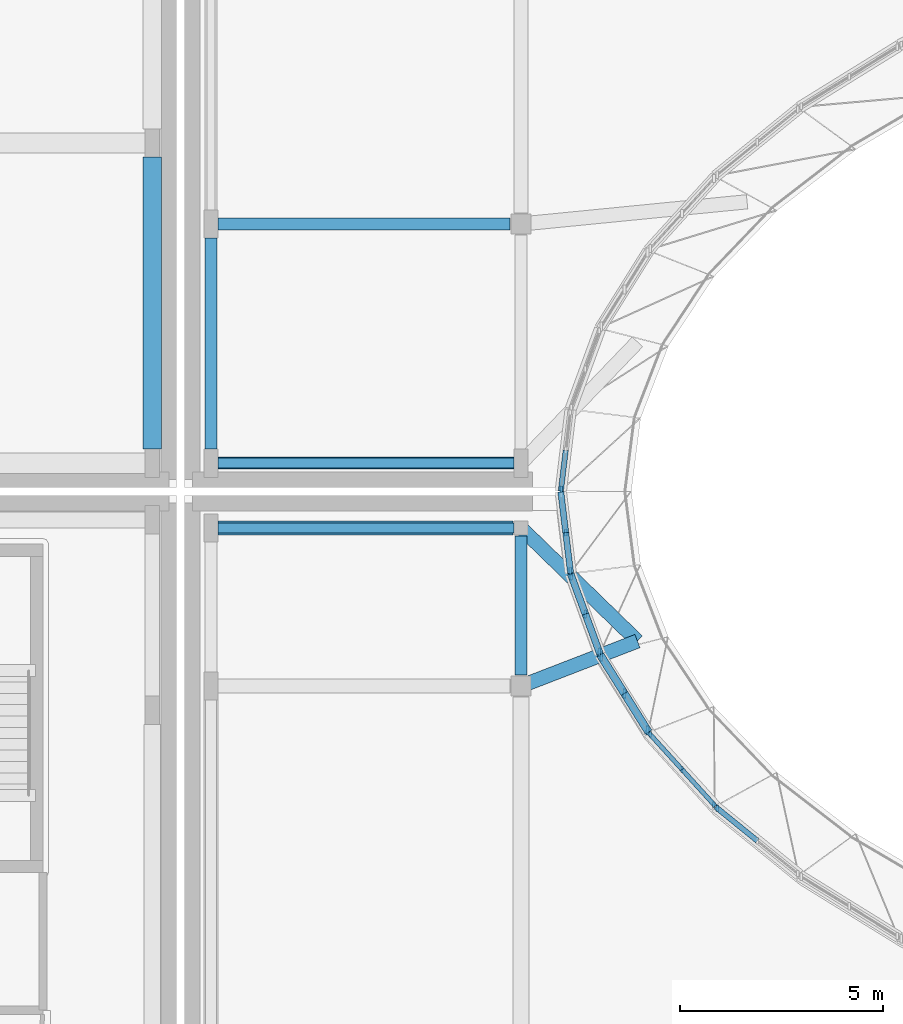
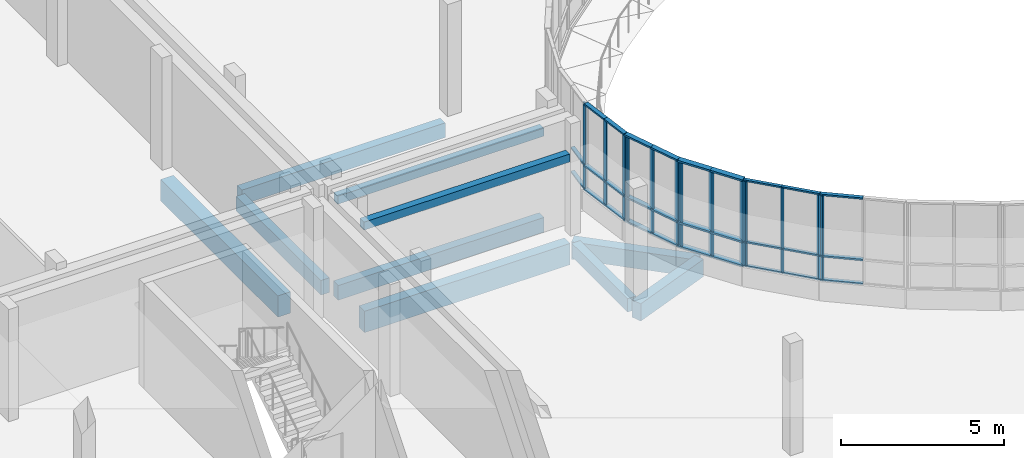
# One storey, part 19 of 84: 42 members, 10 beams, 6 elements without a shape of their own.
"""IFC4 building model written with IfcOpenShell, lengths in metres."""

from ifc_helpers import new_model, si_unit, direction, frame, origin, origin_2d, place, context, subcontext, project, spatial, rectangle, extrude, material, material_profile, profile_set, type_object, element, aggregate, save


model = new_model("IFC4")

# Units and contexts
model_context = context("Model", 3, precision=1e-05, world=origin(), true_north=direction((0.0, 1.0)))
body_context = subcontext(model_context, "Body", "Model", "MODEL_VIEW")
ifc_project = project(units=[si_unit("LENGTHUNIT", "METRE"), si_unit("AREAUNIT", "SQUARE_METRE"), si_unit("VOLUMEUNIT", "CUBIC_METRE"), si_unit("PLANEANGLEUNIT", "RADIAN"), si_unit("MASSUNIT", "GRAM", prefix="KILO")], contexts=[model_context])

# Site, building, storey
site_placement = place(None, origin())
site = spatial("IfcSite", under=ifc_project, at=site_placement, CompositionType="ELEMENT")
building_placement = place(site_placement, origin())
building = spatial("IfcBuilding", under=site, at=building_placement, Name="Mzevani Central Library", CompositionType="ELEMENT")
storey_placement = place(building_placement, frame((0.0, 0.0, 5.39990234375)))
storey = spatial("IfcBuildingStorey", under=building, at=storey_placement, Name="L01", CompositionType="ELEMENT", Elevation=5.39990234375)

# Beams
ifc_material_1 = material(Name="Concrete C35/45", Category="concrete")
ifc_material_profile_1 = material_profile(ifc_material_1, rectangle(XDim=0.300048828125, YDim=0.5, at=origin_2d()), Name="RC B300x500")
ifc_profile_set_1 = profile_set([ifc_material_profile_1], Name="Concrete C35/45")
beam_type_1 = type_object("IfcBeamType", Name="Beam RC 300x500", PredefinedType="BEAM", material=ifc_profile_set_1)
beam_1_placement = place(storey_placement, frame((54.39990234375, 71.47509765625, -0.510009765625), z_axis=(0.0, 1.0, 0.0), x_axis=(-1.0, 0.0, 0.0)))
element("IfcBeam", 1, at=beam_1_placement, inside=storey, type_object=beam_type_1, Name="L01 V1 Frame Beam B-01 (44)", PredefinedType="BEAM", context=body_context, shape_type="SweptSolid", body=[
    extrude(rectangle(XDim=0.300048828125, YDim=0.5, at=origin_2d()), origin(), (0.0, 0.0, 1.0), 3.4248046875),
])
ifc_material_profile_2 = material_profile(ifc_material_1, rectangle(XDim=0.300048828125, YDim=0.550048828125, at=origin_2d()), Name="RC B300x550")
ifc_profile_set_2 = profile_set([ifc_material_profile_2], Name="Concrete C35/45")
beam_type_2 = type_object("IfcBeamType", Name="Beam RC 300x550", PredefinedType="BEAM", material=ifc_profile_set_2)
beam_2_placement = place(storey_placement, frame((46.925048828125, 76.699951171875, -0.554931640625), z_axis=(1.0, 0.0, 0.0), x_axis=(0.0, 1.0, 0.0)))
element("IfcBeam", 2, at=beam_2_placement, inside=storey, type_object=beam_type_2, Name="L01 V3 Girder B-02 (445)", PredefinedType="BEAM", context=body_context, shape_type="SweptSolid", body=[
    extrude(rectangle(XDim=0.300048828125, YDim=0.550048828125, at=origin_2d()), origin(), (0.0, 0.0, 1.0), 7.300048828125),
])
beam_3_placement = place(storey_placement, frame((46.925048828125, 82.60009765625, -0.554931640625), z_axis=(1.0, 0.0, 0.0), x_axis=(0.0, 1.0, 0.0)))
element("IfcBeam", 3, at=beam_3_placement, inside=storey, type_object=beam_type_2, Name="L01 V3 Girder B-02 (449)", PredefinedType="BEAM", context=body_context, shape_type="SweptSolid", body=[
    extrude(rectangle(XDim=0.300048828125, YDim=0.550048828125, at=origin_2d()), origin(), (0.0, 0.0, 1.0), 7.199951171875),
])
beam_4_placement = place(storey_placement, frame((46.75, 77.050048828125, -0.554931640625), z_axis=(0.0, 1.0, 0.0), x_axis=(-1.0, 0.0, 0.0)))
element("IfcBeam", 4, at=beam_4_placement, inside=storey, type_object=beam_type_2, Name="L01 V3 Frame Beam B-02 (493)", PredefinedType="BEAM", context=body_context, shape_type="SweptSolid", body=[
    extrude(rectangle(XDim=0.300048828125, YDim=0.550048828125, at=origin_2d()), origin(), (0.0, 0.0, 1.0), 5.199951171875),
])
ifc_material_profile_3 = material_profile(ifc_material_1, rectangle(XDim=0.35009765625, YDim=0.64990234375, at=origin_2d()), Name="RC B350x650")
ifc_profile_set_3 = profile_set([ifc_material_profile_3], Name="Concrete C35/45")
beam_type_3 = type_object("IfcBeamType", Name="Beam RC 350x650", PredefinedType="BEAM", material=ifc_profile_set_3)
beam_5_placement = place(storey_placement, frame((54.39990234375, 75.10009765625, -0.5849609375), z_axis=(0.717035549746, -0.697036599039, 0.0), x_axis=(0.697036599039, 0.717035549746, 0.0)))
element("IfcBeam", 5, at=beam_5_placement, inside=storey, type_object=beam_type_3, Name="L01 V1 Court Ring Beam 1", PredefinedType="BEAM", context=body_context, shape_type="SweptSolid", body=[
    extrude(rectangle(XDim=0.35009765625, YDim=0.64990234375, at=origin_2d()), origin(), (0.0, 0.0, 1.0), 4.004150390625),
])
beam_6_placement = place(storey_placement, frame((57.27099609375, 72.30908203125, -0.5849609375), z_axis=(-0.932815102721, -0.360355358134, 0.0), x_axis=(0.360355358134, -0.932815102721, 0.0)))
element("IfcBeam", 6, at=beam_6_placement, inside=storey, type_object=beam_type_3, Name="L01 V1 Court Ring Beam 2", PredefinedType="BEAM", context=body_context, shape_type="SweptSolid", body=[
    extrude(rectangle(XDim=0.35009765625, YDim=0.64990234375, at=origin_2d()), origin(), (0.0, 0.0, 1.0), 3.077880859375),
])

# Curtain wall, members
ifc_material_2 = material(Name="Thermally broken aluminium and Low-E triple glazing", Category="aluminium")
curtain_wall_type_1 = type_object("IfcCurtainWallType", Name="Reading Hall Northlight Curtain Wall", PredefinedType="NOTDEFINED", material=ifc_material_2)
curtain_wall_1_placement = place(storey_placement, origin())
curtain_wall_1 = element("IfcCurtainWall", 7, at=curtain_wall_1_placement, inside=storey, type_object=curtain_wall_type_1, Name="L01 Elliptical Court Curtain Wall 28", PredefinedType="NOTDEFINED")
ifc_material_3 = material(Name="Thermally broken aluminium AW-6060", Category="aluminium")
ifc_material_profile_4 = material_profile(ifc_material_3, rectangle(XDim=0.06005859375, YDim=0.139892578125, at=origin_2d()), Name="ALU M60x140")
ifc_profile_set_4 = profile_set([ifc_material_profile_4], Name="Thermally broken aluminium AW-6060")
member_type_1 = type_object("IfcMemberType", Name="CW Mullion 60x140", PredefinedType="MULLION", material=ifc_profile_set_4)
member_1_placement = place(storey_placement, frame((57.5830078125, 70.008056640625, 0.72021484375), z_axis=(0.0, 0.0, 1.0), x_axis=(1.0, 0.0, 0.0)))
member_1 = element("IfcMember", 8, at=member_1_placement, type_object=member_type_1, Name="L01 Elliptical Court Curtain Wall 28 Mullion 1", PredefinedType="MULLION", context=body_context, shape_type="SweptSolid", body=[
    extrude(rectangle(XDim=0.06005859375, YDim=0.139892578125, at=origin_2d()), origin(), (0.0, 0.0, 1.0), 3.199951171875),
])
member_2_placement = place(storey_placement, frame((58.370849609375, 69.14111328125, 0.72021484375), z_axis=(0.0, 0.0, 1.0), x_axis=(1.0, 0.0, 0.0)))
member_2 = element("IfcMember", 9, at=member_2_placement, type_object=member_type_1, Name="L01 Elliptical Court Curtain Wall 28 Mullion 2", PredefinedType="MULLION", context=body_context, shape_type="SweptSolid", body=[
    extrude(rectangle(XDim=0.06005859375, YDim=0.139892578125, at=origin_2d()), origin(), (0.0, 0.0, 1.0), 3.199951171875),
])
member_3_placement = place(storey_placement, frame((59.15869140625, 68.27392578125, 0.72021484375), z_axis=(0.0, 0.0, 1.0), x_axis=(1.0, 0.0, 0.0)))
member_3 = element("IfcMember", 10, at=member_3_placement, type_object=member_type_1, Name="L01 Elliptical Court Curtain Wall 28 Mullion 3", PredefinedType="MULLION", context=body_context, shape_type="SweptSolid", body=[
    extrude(rectangle(XDim=0.06005859375, YDim=0.139892578125, at=origin_2d()), origin(), (0.0, 0.0, 1.0), 3.199951171875),
])

# Curtain wall, member
curtain_wall_type_2 = type_object("IfcCurtainWallType", Name="Elliptical Court Unitised Curtain Wall", PredefinedType="NOTDEFINED", material=ifc_material_2)
curtain_wall_2_placement = place(storey_placement, origin())
curtain_wall_2 = element("IfcCurtainWall", 11, at=curtain_wall_2_placement, inside=storey, type_object=curtain_wall_type_2, Name="L01 Elliptical Court Curtain Wall 24", PredefinedType="NOTDEFINED")
ifc_material_profile_5 = material_profile(ifc_material_3, rectangle(XDim=0.06005859375, YDim=0.159912109375, at=origin_2d()), Name="ALU M60x160")
ifc_profile_set_5 = profile_set([ifc_material_profile_5], Name="Thermally broken aluminium AW-6060")
member_type_2 = type_object("IfcMemberType", Name="CW Mullion 60x160", PredefinedType="MULLION", material=ifc_profile_set_5)
member_4_placement = place(storey_placement, frame((55.385986328125, 76.057373046875, 0.72021484375), z_axis=(0.0, 0.0, 1.0), x_axis=(1.0, 0.0, 0.0)))
member_4 = element("IfcMember", 12, at=member_4_placement, type_object=member_type_2, Name="L01 Elliptical Court Curtain Wall 24 Mullion 3", PredefinedType="MULLION", context=body_context, shape_type="SweptSolid", body=[
    extrude(rectangle(XDim=0.06005859375, YDim=0.159912109375, at=origin_2d()), origin(), (0.0, 0.0, 1.0), 3.199951171875),
])

curtain_wall_3_placement = place(storey_placement, origin())
curtain_wall_3 = element("IfcCurtainWall", 13, at=curtain_wall_3_placement, inside=storey, type_object=curtain_wall_type_2, Name="L01 Elliptical Court Curtain Wall 29", PredefinedType="NOTDEFINED")
member_5_placement = place(storey_placement, frame((59.23681640625, 68.187255859375, 0.72021484375), z_axis=(0.0, 0.0, 1.0), x_axis=(1.0, 0.0, 0.0)))
member_5 = element("IfcMember", 14, at=member_5_placement, type_object=member_type_2, Name="L01 Elliptical Court Curtain Wall 29 Mullion 1", PredefinedType="MULLION", context=body_context, shape_type="SweptSolid", body=[
    extrude(rectangle(XDim=0.06005859375, YDim=0.159912109375, at=origin_2d()), origin(), (0.0, 0.0, 1.0), 3.199951171875),
])

# Curtain wall, members
curtain_wall_4_placement = place(storey_placement, origin())
curtain_wall_4 = element("IfcCurtainWall", 15, at=curtain_wall_4_placement, inside=storey, type_object=curtain_wall_type_1, Name="L01 Elliptical Court Curtain Wall 25", PredefinedType="NOTDEFINED")
ifc_material_profile_6 = material_profile(ifc_material_3, rectangle(XDim=0.06005859375, YDim=0.179931640625, at=origin_2d()), Name="ALU M60x180")
ifc_profile_set_6 = profile_set([ifc_material_profile_6], Name="Thermally broken aluminium AW-6060")
member_type_3 = type_object("IfcMemberType", Name="CW Mullion 60x180", PredefinedType="MULLION", material=ifc_profile_set_6)
member_6_placement = place(storey_placement, frame((55.501708984375, 74.986328125, 0.72021484375), z_axis=(0.0, 0.0, 1.0), x_axis=(1.0, 0.0, 0.0)))
member_6 = element("IfcMember", 16, at=member_6_placement, type_object=member_type_3, Name="L01 Elliptical Court Curtain Wall 25 Mullion 2", PredefinedType="MULLION", context=body_context, shape_type="SweptSolid", body=[
    extrude(rectangle(XDim=0.06005859375, YDim=0.179931640625, at=origin_2d()), origin(), (0.0, 0.0, 1.0), 3.199951171875),
])
member_7_placement = place(storey_placement, frame((55.6171875, 74.030029296875, 0.72021484375), z_axis=(0.0, 0.0, 1.0), x_axis=(1.0, 0.0, 0.0)))
member_7 = element("IfcMember", 17, at=member_7_placement, type_object=member_type_3, Name="L01 Elliptical Court Curtain Wall 25 Mullion 3", PredefinedType="MULLION", context=body_context, shape_type="SweptSolid", body=[
    extrude(rectangle(XDim=0.06005859375, YDim=0.179931640625, at=origin_2d()), origin(), (0.0, 0.0, 1.0), 3.199951171875),
])

curtain_wall_5_placement = place(storey_placement, origin())
curtain_wall_5 = element("IfcCurtainWall", 18, at=curtain_wall_5_placement, inside=storey, type_object=curtain_wall_type_2, Name="L01 Elliptical Court Curtain Wall 26", PredefinedType="NOTDEFINED")
ifc_material_profile_7 = material_profile(ifc_material_3, rectangle(XDim=0.06494140625, YDim=0.199951171875, at=origin_2d()), Name="ALU M65x200")
ifc_profile_set_7 = profile_set([ifc_material_profile_7], Name="Thermally broken aluminium AW-6060")
member_type_4 = type_object("IfcMemberType", Name="CW Mullion 65x200", PredefinedType="MULLION", material=ifc_profile_set_7)
member_8_placement = place(storey_placement, frame((55.641357421875, 73.917724609375, 0.72021484375), z_axis=(0.0, 0.0, 1.0), x_axis=(1.0, 0.0, 0.0)))
member_8 = element("IfcMember", 19, at=member_8_placement, type_object=member_type_4, Name="L01 Elliptical Court Curtain Wall 26 Mullion 1", PredefinedType="MULLION", context=body_context, shape_type="SweptSolid", body=[
    extrude(rectangle(XDim=0.06494140625, YDim=0.199951171875, at=origin_2d()), origin(), (0.0, 0.0, 1.0), 3.199951171875),
])
member_9_placement = place(storey_placement, frame((55.986572265625, 72.97607421875, 0.72021484375), z_axis=(0.0, 0.0, 1.0), x_axis=(1.0, 0.0, 0.0)))
member_9 = element("IfcMember", 20, at=member_9_placement, type_object=member_type_4, Name="L01 Elliptical Court Curtain Wall 26 Mullion 2", PredefinedType="MULLION", context=body_context, shape_type="SweptSolid", body=[
    extrude(rectangle(XDim=0.06494140625, YDim=0.199951171875, at=origin_2d()), origin(), (0.0, 0.0, 1.0), 3.199951171875),
])
member_10_placement = place(storey_placement, frame((56.331787109375, 72.034423828125, 0.72021484375), z_axis=(0.0, 0.0, 1.0), x_axis=(1.0, 0.0, 0.0)))
member_10 = element("IfcMember", 21, at=member_10_placement, type_object=member_type_4, Name="L01 Elliptical Court Curtain Wall 26 Mullion 3", PredefinedType="MULLION", context=body_context, shape_type="SweptSolid", body=[
    extrude(rectangle(XDim=0.06494140625, YDim=0.199951171875, at=origin_2d()), origin(), (0.0, 0.0, 1.0), 3.199951171875),
])

curtain_wall_6_placement = place(storey_placement, origin())
curtain_wall_6 = element("IfcCurtainWall", 22, at=curtain_wall_6_placement, inside=storey, type_object=curtain_wall_type_2, Name="L01 Elliptical Court Curtain Wall 27", PredefinedType="NOTDEFINED")
ifc_material_profile_8 = material_profile(ifc_material_3, rectangle(XDim=0.070068359375, YDim=0.219970703125, at=origin_2d()), Name="ALU M70x220")
ifc_profile_set_8 = profile_set([ifc_material_profile_8], Name="Thermally broken aluminium AW-6060")
member_type_5 = type_object("IfcMemberType", Name="CW Mullion 70x220", PredefinedType="MULLION", material=ifc_profile_set_8)
member_11_placement = place(storey_placement, frame((56.3779296875, 71.9287109375, 0.72021484375), z_axis=(0.0, 0.0, 1.0), x_axis=(1.0, 0.0, 0.0)))
member_11 = element("IfcMember", 23, at=member_11_placement, type_object=member_type_5, Name="L01 Elliptical Court Curtain Wall 27 Mullion 1", PredefinedType="MULLION", context=body_context, shape_type="SweptSolid", body=[
    extrude(rectangle(XDim=0.070068359375, YDim=0.219970703125, at=origin_2d()), origin(), (0.0, 0.0, 1.0), 3.199951171875),
])
member_12_placement = place(storey_placement, frame((56.948486328125, 71.0166015625, 0.72021484375), z_axis=(0.0, 0.0, 1.0), x_axis=(1.0, 0.0, 0.0)))
member_12 = element("IfcMember", 24, at=member_12_placement, type_object=member_type_5, Name="L01 Elliptical Court Curtain Wall 27 Mullion 2", PredefinedType="MULLION", context=body_context, shape_type="SweptSolid", body=[
    extrude(rectangle(XDim=0.070068359375, YDim=0.219970703125, at=origin_2d()), origin(), (0.0, 0.0, 1.0), 3.199951171875),
])
member_13_placement = place(storey_placement, frame((57.51904296875, 70.1044921875, 0.72021484375), z_axis=(0.0, 0.0, 1.0), x_axis=(1.0, 0.0, 0.0)))
member_13 = element("IfcMember", 25, at=member_13_placement, type_object=member_type_5, Name="L01 Elliptical Court Curtain Wall 27 Mullion 3", PredefinedType="MULLION", context=body_context, shape_type="SweptSolid", body=[
    extrude(rectangle(XDim=0.070068359375, YDim=0.219970703125, at=origin_2d()), origin(), (0.0, 0.0, 1.0), 3.199951171875),
])

# Member
ifc_material_profile_9 = material_profile(ifc_material_3, rectangle(XDim=0.110107421875, YDim=0.06005859375, at=origin_2d()), Name="ALU T60x110")
ifc_profile_set_9 = profile_set([ifc_material_profile_9], Name="Thermally broken aluminium AW-6060")
member_type_6 = type_object("IfcMemberType", Name="CW Transom 60x110", PredefinedType="USERDEFINED", material=ifc_profile_set_9)
member_14_placement = place(storey_placement, frame((57.54931640625, 70.045166015625, 0.72021484375), z_axis=(0.67252356476, -0.740075708858, 0.0), x_axis=(0.740075708858, 0.67252356476, 0.0)))
member_14 = element("IfcMember", 26, at=member_14_placement, type_object=member_type_6, Name="L01 Elliptical Court Curtain Wall 28 Transom 1", ObjectType="TRANSOM", PredefinedType="USERDEFINED", context=body_context, shape_type="SweptSolid", body=[
    extrude(rectangle(XDim=0.110107421875, YDim=0.06005859375, at=origin_2d()), origin(), (0.0, 0.0, 1.0), 1.2216796875),
])

member_15_placement = place(storey_placement, frame((57.54931640625, 70.045166015625, 1.6201171875), z_axis=(0.67252356476, -0.740075708858, 0.0), x_axis=(0.740075708858, 0.67252356476, 0.0)))
member_15 = element("IfcMember", 27, at=member_15_placement, type_object=member_type_6, Name="L01 Elliptical Court Curtain Wall 28 Transom 2", ObjectType="TRANSOM", PredefinedType="USERDEFINED", context=body_context, shape_type="SweptSolid", body=[
    extrude(rectangle(XDim=0.110107421875, YDim=0.06005859375, at=origin_2d()), origin(), (0.0, 0.0, 1.0), 1.2216796875),
])

member_16_placement = place(storey_placement, frame((57.54931640625, 70.045166015625, 3.920166015625), z_axis=(0.67252356476, -0.740075708858, 0.0), x_axis=(0.740075708858, 0.67252356476, 0.0)))
member_16 = element("IfcMember", 28, at=member_16_placement, type_object=member_type_6, Name="L01 Elliptical Court Curtain Wall 28 Transom 3", ObjectType="TRANSOM", PredefinedType="USERDEFINED", context=body_context, shape_type="SweptSolid", body=[
    extrude(rectangle(XDim=0.110107421875, YDim=0.06005859375, at=origin_2d()), origin(), (0.0, 0.0, 1.0), 1.2216796875),
])

member_17_placement = place(storey_placement, frame((58.370849609375, 69.14111328125, 0.72021484375), z_axis=(0.67252356476, -0.740075708858, 0.0), x_axis=(0.740075708858, 0.67252356476, 0.0)))
member_17 = element("IfcMember", 29, at=member_17_placement, type_object=member_type_6, Name="L01 Elliptical Court Curtain Wall 28 Transom 4", ObjectType="TRANSOM", PredefinedType="USERDEFINED", context=body_context, shape_type="SweptSolid", body=[
    extrude(rectangle(XDim=0.110107421875, YDim=0.06005859375, at=origin_2d()), origin(), (0.0, 0.0, 1.0), 1.2216796875),
])

member_18_placement = place(storey_placement, frame((58.370849609375, 69.14111328125, 1.6201171875), z_axis=(0.67252356476, -0.740075708858, 0.0), x_axis=(0.740075708858, 0.67252356476, 0.0)))
member_18 = element("IfcMember", 30, at=member_18_placement, type_object=member_type_6, Name="L01 Elliptical Court Curtain Wall 28 Transom 5", ObjectType="TRANSOM", PredefinedType="USERDEFINED", context=body_context, shape_type="SweptSolid", body=[
    extrude(rectangle(XDim=0.110107421875, YDim=0.06005859375, at=origin_2d()), origin(), (0.0, 0.0, 1.0), 1.2216796875),
])

member_19_placement = place(storey_placement, frame((58.370849609375, 69.14111328125, 3.920166015625), z_axis=(0.67252356476, -0.740075708858, 0.0), x_axis=(0.740075708858, 0.67252356476, 0.0)))
member_19 = element("IfcMember", 31, at=member_19_placement, type_object=member_type_6, Name="L01 Elliptical Court Curtain Wall 28 Transom 6", ObjectType="TRANSOM", PredefinedType="USERDEFINED", context=body_context, shape_type="SweptSolid", body=[
    extrude(rectangle(XDim=0.110107421875, YDim=0.06005859375, at=origin_2d()), origin(), (0.0, 0.0, 1.0), 1.2216796875),
])

aggregate(curtain_wall_1, [member_1, member_2, member_3, member_14, member_15, member_16, member_17, member_18, member_19])

ifc_material_profile_10 = material_profile(ifc_material_3, rectangle(XDim=0.1298828125, YDim=0.06005859375, at=origin_2d()), Name="ALU T60x130")
ifc_profile_set_10 = profile_set([ifc_material_profile_10], Name="Thermally broken aluminium AW-6060")
member_type_7 = type_object("IfcMemberType", Name="CW Transom 60x130", PredefinedType="USERDEFINED", material=ifc_profile_set_10)
member_20_placement = place(storey_placement, frame((55.501708984375, 77.013671875, 0.72021484375), z_axis=(-0.120000334448, -0.992773851253, 0.0), x_axis=(0.992773851253, -0.120000334448, 0.0)))
member_20 = element("IfcMember", 32, at=member_20_placement, type_object=member_type_7, Name="L01 Elliptical Court Curtain Wall 24 Transom 4", ObjectType="TRANSOM", PredefinedType="USERDEFINED", context=body_context, shape_type="SweptSolid", body=[
    extrude(rectangle(XDim=0.1298828125, YDim=0.06005859375, at=origin_2d()), origin(), (0.0, 0.0, 1.0), 1.01318359375),
])

member_21_placement = place(storey_placement, frame((55.501708984375, 77.013671875, 1.6201171875), z_axis=(-0.120000334448, -0.992773851253, 0.0), x_axis=(0.992773851253, -0.120000334448, 0.0)))
member_21 = element("IfcMember", 33, at=member_21_placement, type_object=member_type_7, Name="L01 Elliptical Court Curtain Wall 24 Transom 5", ObjectType="TRANSOM", PredefinedType="USERDEFINED", context=body_context, shape_type="SweptSolid", body=[
    extrude(rectangle(XDim=0.1298828125, YDim=0.06005859375, at=origin_2d()), origin(), (0.0, 0.0, 1.0), 1.01318359375),
])

aggregate(curtain_wall_2, [member_4, member_20, member_21])

member_22_placement = place(storey_placement, frame((59.197998046875, 68.21875, 0.72021484375), z_axis=(0.776243179452, -0.63043360186, 0.0), x_axis=(0.63043360186, 0.776243179452, 0.0)))
member_22 = element("IfcMember", 34, at=member_22_placement, type_object=member_type_7, Name="L01 Elliptical Court Curtain Wall 29 Transom 1", ObjectType="TRANSOM", PredefinedType="USERDEFINED", context=body_context, shape_type="SweptSolid", body=[
    extrude(rectangle(XDim=0.1298828125, YDim=0.06005859375, at=origin_2d()), origin(), (0.0, 0.0, 1.0), 1.329345703125),
])

member_23_placement = place(storey_placement, frame((59.197998046875, 68.21875, 1.6201171875), z_axis=(0.776243179452, -0.63043360186, 0.0), x_axis=(0.63043360186, 0.776243179452, 0.0)))
member_23 = element("IfcMember", 35, at=member_23_placement, type_object=member_type_7, Name="L01 Elliptical Court Curtain Wall 29 Transom 2", ObjectType="TRANSOM", PredefinedType="USERDEFINED", context=body_context, shape_type="SweptSolid", body=[
    extrude(rectangle(XDim=0.1298828125, YDim=0.06005859375, at=origin_2d()), origin(), (0.0, 0.0, 1.0), 1.329345703125),
])

member_24_placement = place(storey_placement, frame((59.197998046875, 68.21875, 3.920166015625), z_axis=(0.776243179452, -0.63043360186, 0.0), x_axis=(0.63043360186, 0.776243179452, 0.0)))
member_24 = element("IfcMember", 36, at=member_24_placement, type_object=member_type_7, Name="L01 Elliptical Court Curtain Wall 29 Transom 3", ObjectType="TRANSOM", PredefinedType="USERDEFINED", context=body_context, shape_type="SweptSolid", body=[
    extrude(rectangle(XDim=0.1298828125, YDim=0.06005859375, at=origin_2d()), origin(), (0.0, 0.0, 1.0), 1.329345703125),
])

aggregate(curtain_wall_3, [member_5, member_22, member_23, member_24])

ifc_material_profile_11 = material_profile(ifc_material_3, rectangle(XDim=0.14990234375, YDim=0.06005859375, at=origin_2d()), Name="ALU T60x150")
ifc_profile_set_11 = profile_set([ifc_material_profile_11], Name="Thermally broken aluminium AW-6060")
member_type_8 = type_object("IfcMemberType", Name="CW Transom 60x150", PredefinedType="USERDEFINED", material=ifc_profile_set_11)
member_25_placement = place(storey_placement, frame((55.380126953125, 75.9921875, 0.72021484375), z_axis=(0.120000334448, -0.992773851253, 0.0), x_axis=(0.992773851253, 0.120000334448, 0.0)))
member_25 = element("IfcMember", 37, at=member_25_placement, type_object=member_type_8, Name="L01 Elliptical Court Curtain Wall 25 Transom 1", ObjectType="TRANSOM", PredefinedType="USERDEFINED", context=body_context, shape_type="SweptSolid", body=[
    extrude(rectangle(XDim=0.14990234375, YDim=0.06005859375, at=origin_2d()), origin(), (0.0, 0.0, 1.0), 1.01318359375),
])

member_26_placement = place(storey_placement, frame((55.380126953125, 75.9921875, 1.6201171875), z_axis=(0.120000334448, -0.992773851253, 0.0), x_axis=(0.992773851253, 0.120000334448, 0.0)))
member_26 = element("IfcMember", 38, at=member_26_placement, type_object=member_type_8, Name="L01 Elliptical Court Curtain Wall 25 Transom 2", ObjectType="TRANSOM", PredefinedType="USERDEFINED", context=body_context, shape_type="SweptSolid", body=[
    extrude(rectangle(XDim=0.14990234375, YDim=0.06005859375, at=origin_2d()), origin(), (0.0, 0.0, 1.0), 1.01318359375),
])

member_27_placement = place(storey_placement, frame((55.380126953125, 75.9921875, 3.920166015625), z_axis=(0.120000334448, -0.992773851253, 0.0), x_axis=(0.992773851253, 0.120000334448, 0.0)))
member_27 = element("IfcMember", 39, at=member_27_placement, type_object=member_type_8, Name="L01 Elliptical Court Curtain Wall 25 Transom 3", ObjectType="TRANSOM", PredefinedType="USERDEFINED", context=body_context, shape_type="SweptSolid", body=[
    extrude(rectangle(XDim=0.14990234375, YDim=0.06005859375, at=origin_2d()), origin(), (0.0, 0.0, 1.0), 1.01318359375),
])

member_28_placement = place(storey_placement, frame((55.501708984375, 74.986328125, 0.72021484375), z_axis=(0.119762829535, -0.992802530548, 0.0), x_axis=(0.992802530548, 0.119762829535, 0.0)))
member_28 = element("IfcMember", 40, at=member_28_placement, type_object=member_type_8, Name="L01 Elliptical Court Curtain Wall 25 Transom 4", ObjectType="TRANSOM", PredefinedType="USERDEFINED", context=body_context, shape_type="SweptSolid", body=[
    extrude(rectangle(XDim=0.14990234375, YDim=0.06005859375, at=origin_2d()), origin(), (0.0, 0.0, 1.0), 1.01318359375),
])

member_29_placement = place(storey_placement, frame((55.501708984375, 74.986328125, 1.6201171875), z_axis=(0.119762829535, -0.992802530548, 0.0), x_axis=(0.992802530548, 0.119762829535, 0.0)))
member_29 = element("IfcMember", 41, at=member_29_placement, type_object=member_type_8, Name="L01 Elliptical Court Curtain Wall 25 Transom 5", ObjectType="TRANSOM", PredefinedType="USERDEFINED", context=body_context, shape_type="SweptSolid", body=[
    extrude(rectangle(XDim=0.14990234375, YDim=0.06005859375, at=origin_2d()), origin(), (0.0, 0.0, 1.0), 1.01318359375),
])

member_30_placement = place(storey_placement, frame((55.501708984375, 74.986328125, 3.920166015625), z_axis=(0.119762829535, -0.992802530548, 0.0), x_axis=(0.992802530548, 0.119762829535, 0.0)))
member_30 = element("IfcMember", 42, at=member_30_placement, type_object=member_type_8, Name="L01 Elliptical Court Curtain Wall 25 Transom 6", ObjectType="TRANSOM", PredefinedType="USERDEFINED", context=body_context, shape_type="SweptSolid", body=[
    extrude(rectangle(XDim=0.14990234375, YDim=0.06005859375, at=origin_2d()), origin(), (0.0, 0.0, 1.0), 1.01318359375),
])

aggregate(curtain_wall_4, [member_6, member_7, member_25, member_26, member_27, member_28, member_29, member_30])

ifc_material_profile_12 = material_profile(ifc_material_3, rectangle(XDim=0.169921875, YDim=0.06494140625, at=origin_2d()), Name="ALU T65x170")
ifc_profile_set_12 = profile_set([ifc_material_profile_12], Name="Thermally broken aluminium AW-6060")
member_type_9 = type_object("IfcMemberType", Name="CW Transom 65x170", PredefinedType="USERDEFINED", material=ifc_profile_set_12)
member_31_placement = place(storey_placement, frame((55.624267578125, 73.964599609375, 0.72021484375), z_axis=(0.344125187057, -0.938923775198, 0.0), x_axis=(0.938923775198, 0.344125187057, 0.0)))
member_31 = element("IfcMember", 43, at=member_31_placement, type_object=member_type_9, Name="L01 Elliptical Court Curtain Wall 26 Transom 1", ObjectType="TRANSOM", PredefinedType="USERDEFINED", context=body_context, shape_type="SweptSolid", body=[
    extrude(rectangle(XDim=0.169921875, YDim=0.06494140625, at=origin_2d()), origin(), (0.0, 0.0, 1.0), 1.052734375),
])

member_32_placement = place(storey_placement, frame((55.624267578125, 73.964599609375, 1.6201171875), z_axis=(0.344125187057, -0.938923775198, 0.0), x_axis=(0.938923775198, 0.344125187057, 0.0)))
member_32 = element("IfcMember", 44, at=member_32_placement, type_object=member_type_9, Name="L01 Elliptical Court Curtain Wall 26 Transom 2", ObjectType="TRANSOM", PredefinedType="USERDEFINED", context=body_context, shape_type="SweptSolid", body=[
    extrude(rectangle(XDim=0.169921875, YDim=0.06494140625, at=origin_2d()), origin(), (0.0, 0.0, 1.0), 1.052734375),
])

member_33_placement = place(storey_placement, frame((55.624267578125, 73.964599609375, 3.920166015625), z_axis=(0.344125187057, -0.938923775198, 0.0), x_axis=(0.938923775198, 0.344125187057, 0.0)))
member_33 = element("IfcMember", 45, at=member_33_placement, type_object=member_type_9, Name="L01 Elliptical Court Curtain Wall 26 Transom 3", ObjectType="TRANSOM", PredefinedType="USERDEFINED", context=body_context, shape_type="SweptSolid", body=[
    extrude(rectangle(XDim=0.169921875, YDim=0.06494140625, at=origin_2d()), origin(), (0.0, 0.0, 1.0), 1.052734375),
])

member_34_placement = place(storey_placement, frame((55.986572265625, 72.97607421875, 0.72021484375), z_axis=(0.344254649158, -0.938876315887, 0.0), x_axis=(0.938876315887, 0.344254649158, 0.0)))
member_34 = element("IfcMember", 46, at=member_34_placement, type_object=member_type_9, Name="L01 Elliptical Court Curtain Wall 26 Transom 4", ObjectType="TRANSOM", PredefinedType="USERDEFINED", context=body_context, shape_type="SweptSolid", body=[
    extrude(rectangle(XDim=0.169921875, YDim=0.06494140625, at=origin_2d()), origin(), (0.0, 0.0, 1.0), 1.05322265625),
])

member_35_placement = place(storey_placement, frame((55.986572265625, 72.97607421875, 1.6201171875), z_axis=(0.344254649158, -0.938876315887, 0.0), x_axis=(0.938876315887, 0.344254649158, 0.0)))
member_35 = element("IfcMember", 47, at=member_35_placement, type_object=member_type_9, Name="L01 Elliptical Court Curtain Wall 26 Transom 5", ObjectType="TRANSOM", PredefinedType="USERDEFINED", context=body_context, shape_type="SweptSolid", body=[
    extrude(rectangle(XDim=0.169921875, YDim=0.06494140625, at=origin_2d()), origin(), (0.0, 0.0, 1.0), 1.05322265625),
])

member_36_placement = place(storey_placement, frame((55.986572265625, 72.97607421875, 3.920166015625), z_axis=(0.344254649158, -0.938876315887, 0.0), x_axis=(0.938876315887, 0.344254649158, 0.0)))
member_36 = element("IfcMember", 48, at=member_36_placement, type_object=member_type_9, Name="L01 Elliptical Court Curtain Wall 26 Transom 6", ObjectType="TRANSOM", PredefinedType="USERDEFINED", context=body_context, shape_type="SweptSolid", body=[
    extrude(rectangle(XDim=0.169921875, YDim=0.06494140625, at=origin_2d()), origin(), (0.0, 0.0, 1.0), 1.05322265625),
])

aggregate(curtain_wall_5, [member_8, member_9, member_10, member_31, member_32, member_33, member_34, member_35, member_36])

ifc_material_profile_13 = material_profile(ifc_material_3, rectangle(XDim=0.18994140625, YDim=0.070068359375, at=origin_2d()), Name="ALU T70x190")
ifc_profile_set_13 = profile_set([ifc_material_profile_13], Name="Thermally broken aluminium AW-6060")
member_type_10 = type_object("IfcMemberType", Name="CW Transom 70x190", PredefinedType="USERDEFINED", material=ifc_profile_set_13)
member_37_placement = place(storey_placement, frame((56.351318359375, 71.97119140625, 0.72021484375), z_axis=(0.530349709822, -0.847778971956, 0.0), x_axis=(0.847778971956, 0.530349709822, 0.0)))
member_37 = element("IfcMember", 49, at=member_37_placement, type_object=member_type_10, Name="L01 Elliptical Court Curtain Wall 27 Transom 1", ObjectType="TRANSOM", PredefinedType="USERDEFINED", context=body_context, shape_type="SweptSolid", body=[
    extrude(rectangle(XDim=0.18994140625, YDim=0.070068359375, at=origin_2d()), origin(), (0.0, 0.0, 1.0), 1.1259765625),
])

member_38_placement = place(storey_placement, frame((56.351318359375, 71.97119140625, 1.6201171875), z_axis=(0.530349709822, -0.847778971956, 0.0), x_axis=(0.847778971956, 0.530349709822, 0.0)))
member_38 = element("IfcMember", 50, at=member_38_placement, type_object=member_type_10, Name="L01 Elliptical Court Curtain Wall 27 Transom 2", ObjectType="TRANSOM", PredefinedType="USERDEFINED", context=body_context, shape_type="SweptSolid", body=[
    extrude(rectangle(XDim=0.18994140625, YDim=0.070068359375, at=origin_2d()), origin(), (0.0, 0.0, 1.0), 1.1259765625),
])

member_39_placement = place(storey_placement, frame((56.351318359375, 71.97119140625, 3.920166015625), z_axis=(0.530349709822, -0.847778971956, 0.0), x_axis=(0.847778971956, 0.530349709822, 0.0)))
member_39 = element("IfcMember", 51, at=member_39_placement, type_object=member_type_10, Name="L01 Elliptical Court Curtain Wall 27 Transom 3", ObjectType="TRANSOM", PredefinedType="USERDEFINED", context=body_context, shape_type="SweptSolid", body=[
    extrude(rectangle(XDim=0.18994140625, YDim=0.070068359375, at=origin_2d()), origin(), (0.0, 0.0, 1.0), 1.1259765625),
])

member_40_placement = place(storey_placement, frame((56.948486328125, 71.0166015625, 0.72021484375), z_axis=(0.530193845731, -0.847876456772, 0.0), x_axis=(0.847876456772, 0.530193845731, 0.0)))
member_40 = element("IfcMember", 52, at=member_40_placement, type_object=member_type_10, Name="L01 Elliptical Court Curtain Wall 27 Transom 4", ObjectType="TRANSOM", PredefinedType="USERDEFINED", context=body_context, shape_type="SweptSolid", body=[
    extrude(rectangle(XDim=0.18994140625, YDim=0.070068359375, at=origin_2d()), origin(), (0.0, 0.0, 1.0), 1.1259765625),
])

member_41_placement = place(storey_placement, frame((56.948486328125, 71.0166015625, 1.6201171875), z_axis=(0.530193845731, -0.847876456772, 0.0), x_axis=(0.847876456772, 0.530193845731, 0.0)))
member_41 = element("IfcMember", 53, at=member_41_placement, type_object=member_type_10, Name="L01 Elliptical Court Curtain Wall 27 Transom 5", ObjectType="TRANSOM", PredefinedType="USERDEFINED", context=body_context, shape_type="SweptSolid", body=[
    extrude(rectangle(XDim=0.18994140625, YDim=0.070068359375, at=origin_2d()), origin(), (0.0, 0.0, 1.0), 1.1259765625),
])

member_42_placement = place(storey_placement, frame((56.948486328125, 71.0166015625, 3.920166015625), z_axis=(0.530193845731, -0.847876456772, 0.0), x_axis=(0.847876456772, 0.530193845731, 0.0)))
member_42 = element("IfcMember", 54, at=member_42_placement, type_object=member_type_10, Name="L01 Elliptical Court Curtain Wall 27 Transom 6", ObjectType="TRANSOM", PredefinedType="USERDEFINED", context=body_context, shape_type="SweptSolid", body=[
    extrude(rectangle(XDim=0.18994140625, YDim=0.070068359375, at=origin_2d()), origin(), (0.0, 0.0, 1.0), 1.1259765625),
])

aggregate(curtain_wall_6, [member_11, member_12, member_13, member_37, member_38, member_39, member_40, member_41, member_42])

# Beams
ifc_material_4 = material(Name="Precast concrete C40/50", Category="concrete")
ifc_material_profile_14 = material_profile(ifc_material_4, rectangle(XDim=0.35009765625, YDim=0.800048828125, at=origin_2d()), Name="RC SP350x800")
ifc_profile_set_14 = profile_set([ifc_material_profile_14], Name="Precast concrete C40/50")
beam_type_4 = type_object("IfcBeamType", Name="Colonnade Fascia Beam RC 350x800", PredefinedType="SPANDREL", material=ifc_profile_set_14)
beam_7_placement = place(storey_placement, frame((46.925048828125, 75.10009765625, -0.659912109375), z_axis=(1.0, 0.0, 0.0), x_axis=(0.0, 1.0, 0.0)))
element("IfcBeam", 55, at=beam_7_placement, inside=storey, type_object=beam_type_4, Name="L01 V1 Girder SP-02 (33)", PredefinedType="SPANDREL", context=body_context, shape_type="SweptSolid", body=[
    extrude(rectangle(XDim=0.35009765625, YDim=0.800048828125, at=origin_2d()), origin(), (0.0, 0.0, 1.0), 7.27490234375),
])
ifc_material_profile_15 = material_profile(ifc_material_4, rectangle(XDim=0.25, YDim=0.300048828125, at=origin_2d()), Name="PC LN250x300")
ifc_profile_set_15 = profile_set([ifc_material_profile_15], Name="Precast concrete C40/50")
beam_type_5 = type_object("IfcBeamType", Name="Precast Window Lintel 250x300", PredefinedType="LINTEL", material=ifc_profile_set_15)
for number, where, z_axis, x_axis, name in (
    (56, (46.925048828125, 75.10009765625, 2.900146484375), (1.0, 0.0, 0.0), (0.0, 1.0, 0.0), "L01 V1 Precast Portal Lintel (14)"),
    (57, (46.925048828125, 76.699951171875, 2.900146484375), (1.0, 0.0, 0.0), (0.0, 1.0, 0.0), "L01 V3 Precast Portal Lintel (38)"),
):
    element("IfcBeam", number, at=place(storey_placement, frame(where, z_axis=z_axis, x_axis=x_axis)), inside=storey, type_object=beam_type_5, Name=name, PredefinedType="LINTEL", context=body_context, shape_type="SweptSolid", body=[
        extrude(rectangle(XDim=0.25, YDim=0.300048828125, at=origin_2d()), origin(), (0.0, 0.0, 1.0), 7.300048828125),
    ])
ifc_material_5 = material(Name="Concrete C40/50", Category="concrete")
ifc_material_profile_16 = material_profile(ifc_material_5, rectangle(XDim=0.449951171875, YDim=0.800048828125, at=origin_2d()), Name="RC B450x800")
ifc_profile_set_16 = profile_set([ifc_material_profile_16], Name="Concrete C40/50")
beam_type_6 = type_object("IfcBeamType", Name="Stack Girder RC 450x800", PredefinedType="BEAM", material=ifc_profile_set_16)
beam_8_placement = place(storey_placement, frame((45.300048828125, 77.050048828125, -0.719970703125), z_axis=(0.0, 1.0, 0.0), x_axis=(-1.0, 0.0, 0.0)))
element("IfcBeam", 58, at=beam_8_placement, inside=storey, type_object=beam_type_6, Name="L01 V2 Frame Beam BG-03 (254)", PredefinedType="BEAM", context=body_context, shape_type="SweptSolid", body=[
    extrude(rectangle(XDim=0.449951171875, YDim=0.800048828125, at=origin_2d()), origin(), (0.0, 0.0, 1.0), 7.199951171875),
])

save(model, "model.ifc")
